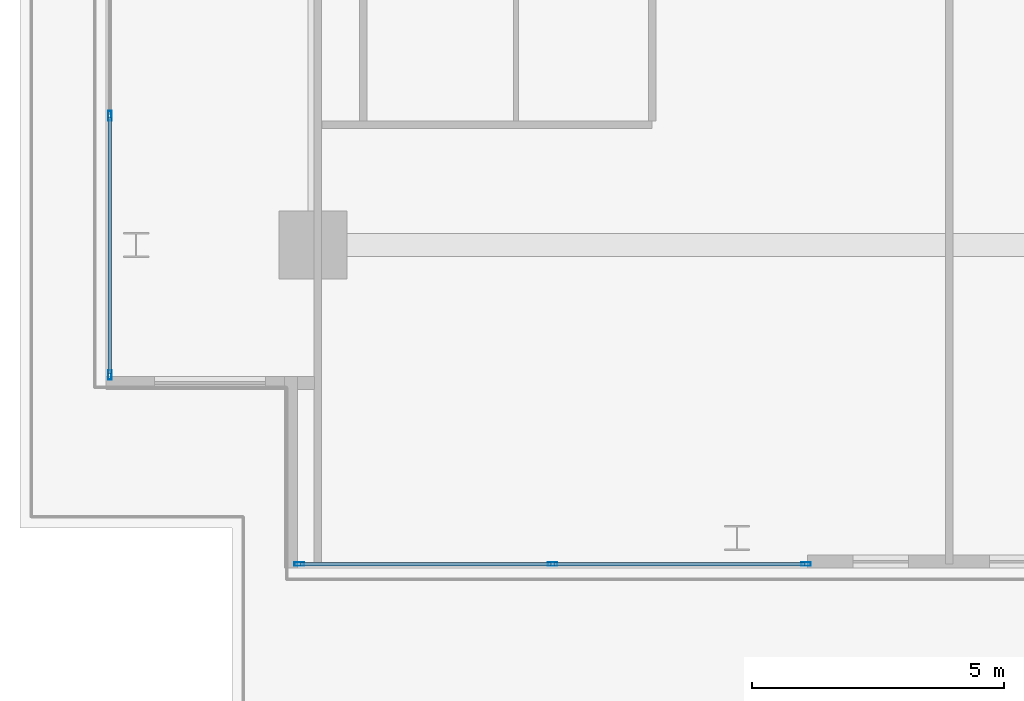
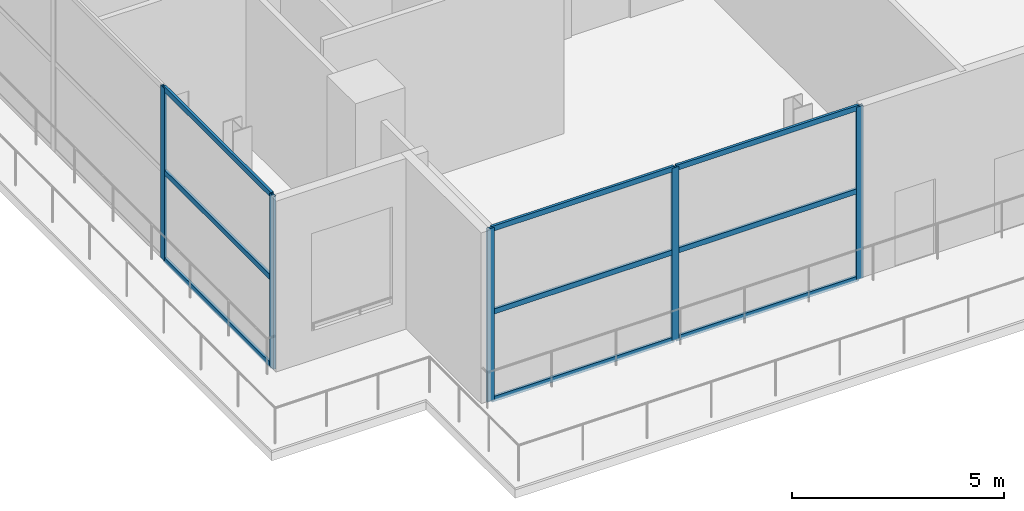
# One storey, part 2 of 19: 14 members, 2 elements without a shape of their own.
"""IFC4 building model written with IfcOpenShell, lengths in metres."""

from ifc_helpers import new_model, si_unit, direction, frame, origin, origin_2d, place, context, subcontext, project, spatial, hollow_rectangle, extrude, material, layer, layer_set, material_profile, profile_set, type_object, element, aggregate, save


model = new_model("IFC4")

# Units and contexts
model_context = context("Model", 3, precision=1e-05, world=origin(), true_north=direction((0.0, 1.0)))
body_context = subcontext(model_context, "Body", "Model", "MODEL_VIEW")
ifc_project = project(units=[si_unit("LENGTHUNIT", "METRE"), si_unit("AREAUNIT", "SQUARE_METRE"), si_unit("VOLUMEUNIT", "CUBIC_METRE"), si_unit("PLANEANGLEUNIT", "RADIAN"), si_unit("MASSUNIT", "GRAM", prefix="KILO")], contexts=[model_context])

# Site, building, storey
site_placement = place(None, origin())
site = spatial("IfcSite", under=ifc_project, at=site_placement, CompositionType="ELEMENT")
building_placement = place(site_placement, origin())
building = spatial("IfcBuilding", under=site, at=building_placement, Name="Maruvema Waterfront Hotel and Observation Tower", CompositionType="ELEMENT")
storey_placement = place(building_placement, frame((0.0, 0.0, 359.10009765625)))
storey = spatial("IfcBuildingStorey", under=building, at=storey_placement, Name="L88", CompositionType="ELEMENT", Elevation=359.10009765625)

# Curtain wall, members
ifc_material_1 = material(Name="Anodised bronze aluminium and solar-control low-E IGU", Category="aluminium")
ifc_layer = layer(ifc_material_1, 0.159912109375, Name="Observation Crown Structural Glazed Curtain Wall System CW-06")
ifc_layer_set = layer_set([ifc_layer], Name="Anodised bronze aluminium and solar-control low-E IGU")
curtain_wall_type = type_object("IfcCurtainWallType", Name="Observation Crown Structural Glazed Curtain Wall System CW-06", PredefinedType="USERDEFINED", material=ifc_layer_set)
curtain_wall_1_placement = place(storey_placement, origin())
curtain_wall_1 = element("IfcCurtainWall", 1, at=curtain_wall_1_placement, inside=storey, type_object=curtain_wall_type, Name="L88 Curtain Wall CW-L88-SW", ObjectType="UNITISED CURTAIN WALL", PredefinedType="USERDEFINED")
ifc_material_2 = material(Name="Anodised architectural bronze aluminium", Category="aluminium")
ifc_material_profile_1 = material_profile(ifc_material_2, hollow_rectangle(XDim=0.070068359375, YDim=0.14990234375, WallThickness=0.00390625, at=origin_2d()), Name="ALU-T70x150")
ifc_profile_set_1 = profile_set([ifc_material_profile_1], Name="Anodised architectural bronze aluminium")
member_type_1 = type_object("IfcMemberType", Name="Curtain Wall Horizontal Transom ALU-T70x150", PredefinedType="USERDEFINED", material=ifc_profile_set_1)
member_1_placement = place(storey_placement, frame((24.9599609375, 20.679931640625, 0.02978515625), z_axis=(1.0, 0.0, 0.0), x_axis=(0.0, 1.0, 0.0)))
member_1 = element("IfcMember", 2, at=member_1_placement, type_object=member_type_1, Name="CW-06 transom 1.1", ObjectType="TRANSOM", PredefinedType="USERDEFINED", context=body_context, shape_type="SweptSolid", body=[
    extrude(hollow_rectangle(XDim=0.070068359375, YDim=0.14990234375, WallThickness=0.00390625, at=origin_2d()), origin(), (0.0, 0.0, 1.0), 4.9599609375),
])
member_2_placement = place(storey_placement, frame((24.9599609375, 20.679931640625, 2.5498046875), z_axis=(1.0, 0.0, 0.0), x_axis=(0.0, 1.0, 0.0)))
member_2 = element("IfcMember", 3, at=member_2_placement, type_object=member_type_1, Name="CW-06 transom 1.2", ObjectType="TRANSOM", PredefinedType="USERDEFINED", context=body_context, shape_type="SweptSolid", body=[
    extrude(hollow_rectangle(XDim=0.070068359375, YDim=0.14990234375, WallThickness=0.00390625, at=origin_2d()), origin(), (0.0, 0.0, 1.0), 4.9599609375),
])
member_3_placement = place(storey_placement, frame((24.9599609375, 20.679931640625, 4.93994140625), z_axis=(1.0, 0.0, 0.0), x_axis=(0.0, 1.0, 0.0)))
member_3 = element("IfcMember", 4, at=member_3_placement, type_object=member_type_1, Name="CW-06 transom 1.3", ObjectType="TRANSOM", PredefinedType="USERDEFINED", context=body_context, shape_type="SweptSolid", body=[
    extrude(hollow_rectangle(XDim=0.070068359375, YDim=0.14990234375, WallThickness=0.00390625, at=origin_2d()), origin(), (0.0, 0.0, 1.0), 4.9599609375),
])
member_4_placement = place(storey_placement, frame((29.97998046875, 20.679931640625, 0.02978515625), z_axis=(1.0, 0.0, 0.0), x_axis=(0.0, 1.0, 0.0)))
member_4 = element("IfcMember", 5, at=member_4_placement, type_object=member_type_1, Name="CW-06 transom 2.1", ObjectType="TRANSOM", PredefinedType="USERDEFINED", context=body_context, shape_type="SweptSolid", body=[
    extrude(hollow_rectangle(XDim=0.070068359375, YDim=0.14990234375, WallThickness=0.00390625, at=origin_2d()), origin(), (0.0, 0.0, 1.0), 4.9599609375),
])
member_5_placement = place(storey_placement, frame((29.97998046875, 20.679931640625, 2.5498046875), z_axis=(1.0, 0.0, 0.0), x_axis=(0.0, 1.0, 0.0)))
member_5 = element("IfcMember", 6, at=member_5_placement, type_object=member_type_1, Name="CW-06 transom 2.2", ObjectType="TRANSOM", PredefinedType="USERDEFINED", context=body_context, shape_type="SweptSolid", body=[
    extrude(hollow_rectangle(XDim=0.070068359375, YDim=0.14990234375, WallThickness=0.00390625, at=origin_2d()), origin(), (0.0, 0.0, 1.0), 4.9599609375),
])
member_6_placement = place(storey_placement, frame((29.97998046875, 20.679931640625, 4.93994140625), z_axis=(1.0, 0.0, 0.0), x_axis=(0.0, 1.0, 0.0)))
member_6 = element("IfcMember", 7, at=member_6_placement, type_object=member_type_1, Name="CW-06 transom 2.3", ObjectType="TRANSOM", PredefinedType="USERDEFINED", context=body_context, shape_type="SweptSolid", body=[
    extrude(hollow_rectangle(XDim=0.070068359375, YDim=0.14990234375, WallThickness=0.00390625, at=origin_2d()), origin(), (0.0, 0.0, 1.0), 4.9599609375),
])

curtain_wall_2_placement = place(storey_placement, origin())
curtain_wall_2 = element("IfcCurtainWall", 8, at=curtain_wall_2_placement, inside=storey, type_object=curtain_wall_type, Name="L88 Curtain Wall CW-L88-W", ObjectType="UNITISED CURTAIN WALL", PredefinedType="USERDEFINED")
member_7_placement = place(storey_placement, frame((21.179931640625, 29.530029296875, 0.02978515625), z_axis=(0.0, -1.0, 0.0), x_axis=(1.0, 0.0, 0.0)))
member_7 = element("IfcMember", 9, at=member_7_placement, type_object=member_type_1, Name="CW-06 transom 5.1", ObjectType="TRANSOM", PredefinedType="USERDEFINED", context=body_context, shape_type="SweptSolid", body=[
    extrude(hollow_rectangle(XDim=0.070068359375, YDim=0.14990234375, WallThickness=0.00390625, at=origin_2d()), origin(), (0.0, 0.0, 1.0), 5.070068359375),
])
member_8_placement = place(storey_placement, frame((21.179931640625, 29.530029296875, 2.5498046875), z_axis=(0.0, -1.0, 0.0), x_axis=(1.0, 0.0, 0.0)))
member_8 = element("IfcMember", 10, at=member_8_placement, type_object=member_type_1, Name="CW-06 transom 5.2", ObjectType="TRANSOM", PredefinedType="USERDEFINED", context=body_context, shape_type="SweptSolid", body=[
    extrude(hollow_rectangle(XDim=0.070068359375, YDim=0.14990234375, WallThickness=0.00390625, at=origin_2d()), origin(), (0.0, 0.0, 1.0), 5.070068359375),
])
member_9_placement = place(storey_placement, frame((21.179931640625, 29.530029296875, 4.93994140625), z_axis=(0.0, -1.0, 0.0), x_axis=(1.0, 0.0, 0.0)))
member_9 = element("IfcMember", 11, at=member_9_placement, type_object=member_type_1, Name="CW-06 transom 5.3", ObjectType="TRANSOM", PredefinedType="USERDEFINED", context=body_context, shape_type="SweptSolid", body=[
    extrude(hollow_rectangle(XDim=0.070068359375, YDim=0.14990234375, WallThickness=0.00390625, at=origin_2d()), origin(), (0.0, 0.0, 1.0), 5.070068359375),
])

# Member
ifc_material_3 = material(Name="Anodised architectural bronze aluminium", Category="aluminium")
ifc_material_profile_2 = material_profile(ifc_material_3, hollow_rectangle(XDim=0.070068359375, YDim=0.18994140625, WallThickness=0.00390625, at=origin_2d()), Name="ALU-M70x190")
ifc_profile_set_2 = profile_set([ifc_material_profile_2], Name="Anodised architectural bronze aluminium")
member_type_2 = type_object("IfcMemberType", Name="Podium Storefront Heavy Mullion ALU-M70x190", PredefinedType="MULLION", material=ifc_profile_set_2)
member_10_placement = place(storey_placement, frame((24.929931640625, 20.679931640625, 0.0), z_axis=(0.0, 0.0, 1.0), x_axis=(0.0, 1.0, 0.0)))
member_10 = element("IfcMember", 12, at=member_10_placement, type_object=member_type_2, Name="CW-06 mullion 1", PredefinedType="MULLION", context=body_context, shape_type="SweptSolid", body=[
    extrude(hollow_rectangle(XDim=0.070068359375, YDim=0.18994140625, WallThickness=0.00390625, at=origin_2d()), origin(), (0.0, 0.0, 1.0), 4.969970703125),
])

member_11_placement = place(storey_placement, frame((29.949951171875, 20.679931640625, 0.0), z_axis=(0.0, 0.0, 1.0), x_axis=(0.0, 1.0, 0.0)))
member_11 = element("IfcMember", 13, at=member_11_placement, type_object=member_type_2, Name="CW-06 mullion 2", PredefinedType="MULLION", context=body_context, shape_type="SweptSolid", body=[
    extrude(hollow_rectangle(XDim=0.070068359375, YDim=0.18994140625, WallThickness=0.00390625, at=origin_2d()), origin(), (0.0, 0.0, 1.0), 4.969970703125),
])

member_12_placement = place(storey_placement, frame((34.969970703125, 20.679931640625, 0.0), z_axis=(0.0, 0.0, 1.0), x_axis=(0.0, 1.0, 0.0)))
member_12 = element("IfcMember", 14, at=member_12_placement, type_object=member_type_2, Name="CW-06 mullion 3", PredefinedType="MULLION", context=body_context, shape_type="SweptSolid", body=[
    extrude(hollow_rectangle(XDim=0.070068359375, YDim=0.18994140625, WallThickness=0.00390625, at=origin_2d()), origin(), (0.0, 0.0, 1.0), 4.969970703125),
])

aggregate(curtain_wall_1, [member_10, member_11, member_12, member_1, member_2, member_3, member_4, member_5, member_6])

member_13_placement = place(storey_placement, frame((21.179931640625, 29.56005859375, 0.0), z_axis=(0.0, 0.0, 1.0), x_axis=(1.0, 0.0, 0.0)))
member_13 = element("IfcMember", 15, at=member_13_placement, type_object=member_type_2, Name="CW-06 mullion 5", PredefinedType="MULLION", context=body_context, shape_type="SweptSolid", body=[
    extrude(hollow_rectangle(XDim=0.070068359375, YDim=0.18994140625, WallThickness=0.00390625, at=origin_2d()), origin(), (0.0, 0.0, 1.0), 4.969970703125),
])

member_14_placement = place(storey_placement, frame((21.179931640625, 24.429931640625, 0.0), z_axis=(0.0, 0.0, 1.0), x_axis=(1.0, 0.0, 0.0)))
member_14 = element("IfcMember", 16, at=member_14_placement, type_object=member_type_2, Name="CW-06 mullion 6", PredefinedType="MULLION", context=body_context, shape_type="SweptSolid", body=[
    extrude(hollow_rectangle(XDim=0.070068359375, YDim=0.18994140625, WallThickness=0.00390625, at=origin_2d()), origin(), (0.0, 0.0, 1.0), 4.969970703125),
])

aggregate(curtain_wall_2, [member_13, member_14, member_7, member_8, member_9])

save(model, "model.ifc")
